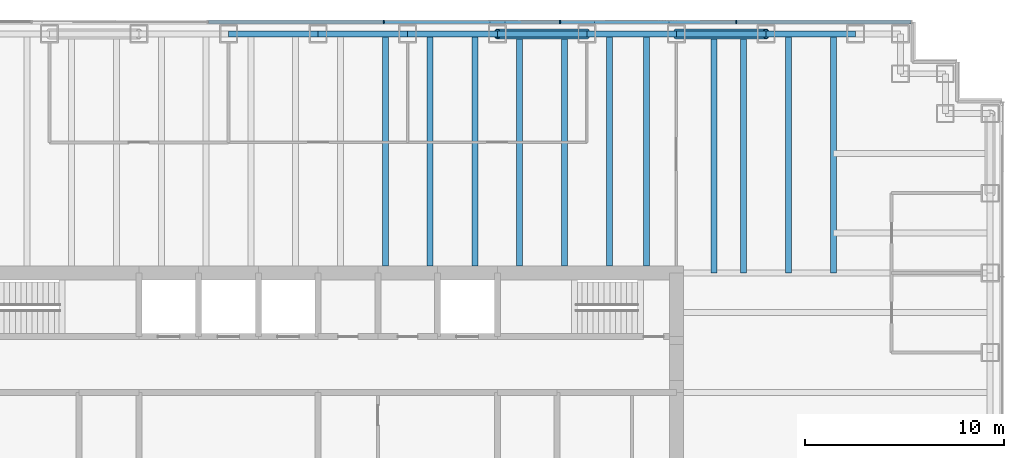
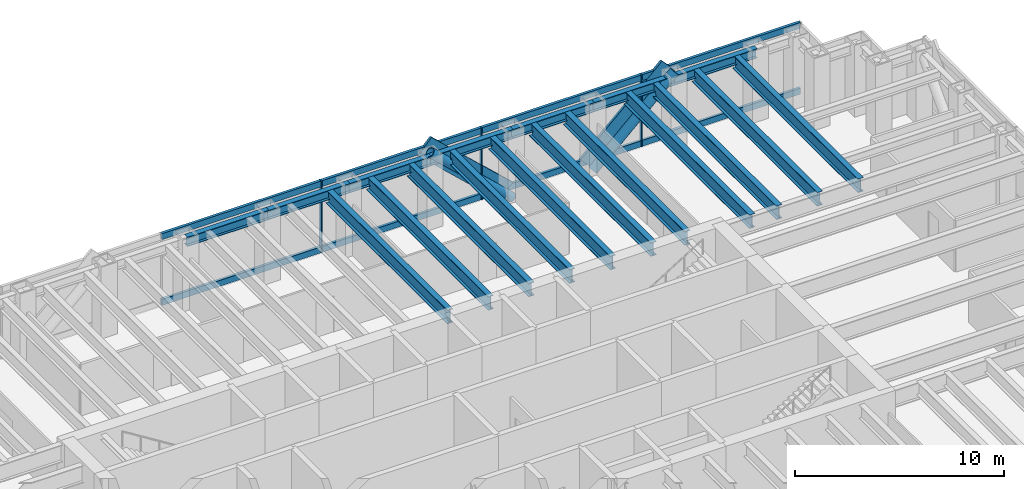
# One storey, part 7 of 15: 18 beams, 15 members, 1 element without a shape of its own.
"""IFC4 building model written with IfcOpenShell, lengths in metres."""

from ifc_helpers import new_model, si_unit, direction, frame, origin, origin_2d, place, context, subcontext, project, spatial, rectangle, hollow_circle, i_section, extrude, material, material_profile, profile_set, type_object, element, aggregate, save


model = new_model("IFC4")

# Units and contexts
model_context = context("Model", 3, precision=1e-05, world=origin(), true_north=direction((0.0, 1.0)))
body_context = subcontext(model_context, "Body", "Model", "MODEL_VIEW")
ifc_project = project(units=[si_unit("LENGTHUNIT", "METRE"), si_unit("AREAUNIT", "SQUARE_METRE"), si_unit("VOLUMEUNIT", "CUBIC_METRE"), si_unit("PLANEANGLEUNIT", "RADIAN"), si_unit("MASSUNIT", "GRAM", prefix="KILO")], contexts=[model_context])

# Site, building, storey
site_placement = place(None, origin())
site = spatial("IfcSite", under=ifc_project, at=site_placement, CompositionType="ELEMENT")
building_placement = place(site_placement, origin())
building = spatial("IfcBuilding", under=site, at=building_placement, Name="Rheinbord Bourse Tower", CompositionType="ELEMENT")
storey_placement = place(building_placement, frame((0.0, 0.0, 292.10009765625)))
storey = spatial("IfcBuildingStorey", under=building, at=storey_placement, Name="L66", CompositionType="ELEMENT", Elevation=292.10009765625)

# Curtain wall, members
ifc_material_1 = material(Name="Dark glass and black aluminium", Category="aluminium")
curtain_wall_type = type_object("IfcCurtainWallType", Name="CW3 DARK GLASS CURTAIN WALL", PredefinedType="USERDEFINED", material=ifc_material_1)
curtain_wall_placement = place(storey_placement, origin())
curtain_wall = element("IfcCurtainWall", 1, at=curtain_wall_placement, inside=storey, type_object=curtain_wall_type, Name="Curtain wall CW3 N L66", ObjectType="UNITISED CURTAIN WALL", PredefinedType="USERDEFINED")
ifc_material_2 = material(Name="Black anodised aluminium", Category="aluminium")
ifc_material_profile_1 = material_profile(ifc_material_2, rectangle(XDim=0.14990234375, YDim=1.10791015625, at=origin_2d()), Name="CW3 DIAGONAL MULLION 1108x150")
ifc_profile_set_1 = profile_set([ifc_material_profile_1], Name="Black anodised aluminium")
member_type_1 = type_object("IfcMemberType", Name="CW3 BLACK DIAGONAL MULLION", PredefinedType="USERDEFINED", material=ifc_profile_set_1)
member_1_placement = place(storey_placement, frame((54.0, 44.60009765625, 0.0), z_axis=(0.73105922506, 0.0, 0.682314010889), x_axis=(0.0, 1.0, 0.0)))
member_1 = element("IfcMember", 2, at=member_1_placement, type_object=member_type_1, Name="CW3 diagonal mullion a", ObjectType="DIAGONAL MULLION", PredefinedType="USERDEFINED", context=body_context, shape_type="SweptSolid", body=[
    extrude(rectangle(XDim=0.14990234375, YDim=1.10791015625, at=origin_2d()), origin(), (0.0, 0.0, 1.0), 6.155517578125),
])
member_2_placement = place(storey_placement, frame((49.5, 44.60009765625, 0.0), z_axis=(-0.73105922506, 0.0, 0.682314010889), x_axis=(0.0, -1.0, 0.0)))
member_2 = element("IfcMember", 3, at=member_2_placement, type_object=member_type_1, Name="CW3 diagonal mullion c", ObjectType="DIAGONAL MULLION", PredefinedType="USERDEFINED", context=body_context, shape_type="SweptSolid", body=[
    extrude(rectangle(XDim=0.14990234375, YDim=1.10791015625, at=origin_2d()), origin(), (0.0, 0.0, 1.0), 6.155517578125),
])
ifc_material_3 = material(Name="Black anodised aluminium", Category="aluminium")
ifc_material_profile_2 = material_profile(ifc_material_3, rectangle(XDim=0.199951171875, YDim=0.06494140625, at=origin_2d()), Name="CW3 MULLION 65x200")
ifc_profile_set_2 = profile_set([ifc_material_profile_2], Name="Black anodised aluminium")
member_type_2 = type_object("IfcMemberType", Name="CW3 BLACK MULLION", PredefinedType="MULLION", material=ifc_profile_set_2)
member_3_placement = place(storey_placement, frame((57.0, 44.60009765625, 0.0), z_axis=(0.0, 0.0, 1.0), x_axis=(0.0, -1.0, 0.0)))
member_3 = element("IfcMember", 4, at=member_3_placement, type_object=member_type_2, Name="CW3 mullion 2", PredefinedType="MULLION", context=body_context, shape_type="SweptSolid", body=[
    extrude(rectangle(XDim=0.199951171875, YDim=0.06494140625, at=origin_2d()), origin(), (0.0, 0.0, 1.0), 4.199951171875),
])
member_4_placement = place(storey_placement, frame((48.14990234375, 44.60009765625, 0.0), z_axis=(0.0, 0.0, 1.0), x_axis=(0.0, -1.0, 0.0)))
member_4 = element("IfcMember", 5, at=member_4_placement, type_object=member_type_2, Name="CW3 mullion 3", PredefinedType="MULLION", context=body_context, shape_type="SweptSolid", body=[
    extrude(rectangle(XDim=0.199951171875, YDim=0.06494140625, at=origin_2d()), origin(), (0.0, 0.0, 1.0), 4.199951171875),
])
member_5_placement = place(storey_placement, frame((39.300048828125, 44.60009765625, 0.0), z_axis=(0.0, 0.0, 1.0), x_axis=(0.0, -1.0, 0.0)))
member_5 = element("IfcMember", 6, at=member_5_placement, type_object=member_type_2, Name="CW3 mullion 4", PredefinedType="MULLION", context=body_context, shape_type="SweptSolid", body=[
    extrude(rectangle(XDim=0.199951171875, YDim=0.06494140625, at=origin_2d()), origin(), (0.0, 0.0, 1.0), 4.199951171875),
])
ifc_material_4 = material(Name="Black anodised aluminium", Category="aluminium")
ifc_material_profile_3 = material_profile(ifc_material_4, rectangle(XDim=0.14990234375, YDim=0.35009765625, at=origin_2d()), Name="CW3 TRANSOM 350x150")
ifc_profile_set_3 = profile_set([ifc_material_profile_3], Name="Black anodised aluminium")
member_type_3 = type_object("IfcMemberType", Name="CW3 BLACK TRANSOM", PredefinedType="USERDEFINED", material=ifc_profile_set_3)
member_6_placement = place(storey_placement, frame((65.784912109375, 44.60009765625, 0.1748046875), z_axis=(-1.0, 0.0, 0.0), x_axis=(0.0, -1.0, 0.0)))
member_6 = element("IfcMember", 7, at=member_6_placement, type_object=member_type_3, Name="CW3 transom 1.1", ObjectType="TRANSOM", PredefinedType="USERDEFINED", context=body_context, shape_type="SweptSolid", body=[
    extrude(rectangle(XDim=0.14990234375, YDim=0.35009765625, at=origin_2d()), origin(), (0.0, 0.0, 1.0), 8.75244140625),
])
member_7_placement = place(storey_placement, frame((65.784912109375, 44.60009765625, 4.02490234375), z_axis=(-1.0, 0.0, 0.0), x_axis=(0.0, -1.0, 0.0)))
member_7 = element("IfcMember", 8, at=member_7_placement, type_object=member_type_3, Name="CW3 transom 1.2", ObjectType="TRANSOM", PredefinedType="USERDEFINED", context=body_context, shape_type="SweptSolid", body=[
    extrude(rectangle(XDim=0.14990234375, YDim=0.35009765625, at=origin_2d()), origin(), (0.0, 0.0, 1.0), 8.75244140625),
])
member_8_placement = place(storey_placement, frame((56.967529296875, 44.60009765625, 0.1748046875), z_axis=(-1.0, 0.0, 0.0), x_axis=(0.0, -1.0, 0.0)))
member_8 = element("IfcMember", 9, at=member_8_placement, type_object=member_type_3, Name="CW3 transom 2.1", ObjectType="TRANSOM", PredefinedType="USERDEFINED", context=body_context, shape_type="SweptSolid", body=[
    extrude(rectangle(XDim=0.14990234375, YDim=0.35009765625, at=origin_2d()), origin(), (0.0, 0.0, 1.0), 8.784912109375),
])
member_9_placement = place(storey_placement, frame((56.967529296875, 44.60009765625, 4.02490234375), z_axis=(-1.0, 0.0, 0.0), x_axis=(0.0, -1.0, 0.0)))
member_9 = element("IfcMember", 10, at=member_9_placement, type_object=member_type_3, Name="CW3 transom 2.2", ObjectType="TRANSOM", PredefinedType="USERDEFINED", context=body_context, shape_type="SweptSolid", body=[
    extrude(rectangle(XDim=0.14990234375, YDim=0.35009765625, at=origin_2d()), origin(), (0.0, 0.0, 1.0), 8.784912109375),
])
member_10_placement = place(storey_placement, frame((48.117431640625, 44.60009765625, 0.1748046875), z_axis=(-1.0, 0.0, 0.0), x_axis=(0.0, -1.0, 0.0)))
member_10 = element("IfcMember", 11, at=member_10_placement, type_object=member_type_3, Name="CW3 transom 3.1", ObjectType="TRANSOM", PredefinedType="USERDEFINED", context=body_context, shape_type="SweptSolid", body=[
    extrude(rectangle(XDim=0.14990234375, YDim=0.35009765625, at=origin_2d()), origin(), (0.0, 0.0, 1.0), 8.784912109375),
])
member_11_placement = place(storey_placement, frame((48.117431640625, 44.60009765625, 4.02490234375), z_axis=(-1.0, 0.0, 0.0), x_axis=(0.0, -1.0, 0.0)))
member_11 = element("IfcMember", 12, at=member_11_placement, type_object=member_type_3, Name="CW3 transom 3.2", ObjectType="TRANSOM", PredefinedType="USERDEFINED", context=body_context, shape_type="SweptSolid", body=[
    extrude(rectangle(XDim=0.14990234375, YDim=0.35009765625, at=origin_2d()), origin(), (0.0, 0.0, 1.0), 8.784912109375),
])
member_12_placement = place(storey_placement, frame((39.267578125, 44.60009765625, 0.1748046875), z_axis=(-1.0, 0.0, 0.0), x_axis=(0.0, -1.0, 0.0)))
member_12 = element("IfcMember", 13, at=member_12_placement, type_object=member_type_3, Name="CW3 transom 4.1", ObjectType="TRANSOM", PredefinedType="USERDEFINED", context=body_context, shape_type="SweptSolid", body=[
    extrude(rectangle(XDim=0.14990234375, YDim=0.35009765625, at=origin_2d()), origin(), (0.0, 0.0, 1.0), 8.78515625),
])
member_13_placement = place(storey_placement, frame((39.267578125, 44.60009765625, 4.02490234375), z_axis=(-1.0, 0.0, 0.0), x_axis=(0.0, -1.0, 0.0)))
member_13 = element("IfcMember", 14, at=member_13_placement, type_object=member_type_3, Name="CW3 transom 4.2", ObjectType="TRANSOM", PredefinedType="USERDEFINED", context=body_context, shape_type="SweptSolid", body=[
    extrude(rectangle(XDim=0.14990234375, YDim=0.35009765625, at=origin_2d()), origin(), (0.0, 0.0, 1.0), 8.78515625),
])
aggregate(curtain_wall, [member_3, member_4, member_5, member_6, member_7, member_8, member_9, member_10, member_11, member_12, member_13, member_1, member_2])

# Beams
ifc_material_5 = material(Name="Steel S460", Category="steel")
ifc_material_profile_4 = material_profile(ifc_material_5, i_section(OverallWidth=0.300048828125, OverallDepth=0.800048828125, WebThickness=0.017578125, FlangeThickness=0.032958984375, at=origin_2d()), Name="HEB 800")
ifc_profile_set_4 = profile_set([ifc_material_profile_4], Name="Steel S460")
beam_type_1 = type_object("IfcBeamType", Name="FLOOR BEAM HEB 800", PredefinedType="BEAM", material=ifc_profile_set_4)
for number, where, z_axis, x_axis, name in (
    (15, (39.375, 44.0, 3.639892578125), (0.0, -1.0, 0.0), (1.0, 0.0, 0.0), "Floor beam N-36b L67"),
    (16, (41.625, 44.0, 3.639892578125), (0.0, -1.0, 0.0), (1.0, 0.0, 0.0), "Floor beam N-40.5a L67"),
    (17, (43.875, 44.0, 3.639892578125), (0.0, -1.0, 0.0), (1.0, 0.0, 0.0), "Floor beam N-40.5b L67"),
    (18, (46.125, 44.0, 3.639892578125), (0.0, -1.0, 0.0), (1.0, 0.0, 0.0), "Floor beam N-45a L67"),
    (19, (48.375, 44.0, 3.639892578125), (0.0, -1.0, 0.0), (1.0, 0.0, 0.0), "Floor beam N-45b L67"),
    (20, (50.625, 44.0, 3.639892578125), (0.0, -1.0, 0.0), (1.0, 0.0, 0.0), "Floor beam N-49.5a L67"),
    (21, (52.5, 44.0, 3.639892578125), (0.0, -1.0, 0.0), (1.0, 0.0, 0.0), "Floor beam N-49.5b L67"),
):
    element("IfcBeam", number, at=place(storey_placement, frame(where, z_axis=z_axis, x_axis=x_axis)), inside=storey, type_object=beam_type_1, Name=name, PredefinedType="BEAM", context=body_context, shape_type="SweptSolid", body=[
        extrude(i_section(OverallWidth=0.300048828125, OverallDepth=0.800048828125, WebThickness=0.017578125, FlangeThickness=0.032958984375, at=origin_2d()), origin(), (0.0, 0.0, 1.0), 11.64990234375),
    ])
for number, where, z_axis, x_axis, name in (
    (22, (55.875, 44.0, 3.639892578125), (0.0, -1.0, 0.0), (1.0, 0.0, 0.0), "Floor beam N-54a L67"),
    (23, (57.375, 44.0, 3.639892578125), (0.0, -1.0, 0.0), (1.0, 0.0, 0.0), "Floor beam N-54b L67"),
    (24, (59.625, 44.0, 3.639892578125), (0.0, -1.0, 0.0), (1.0, 0.0, 0.0), "Floor beam N-58.5a L67"),
    (25, (61.875, 44.0, 3.639892578125), (0.0, -1.0, 0.0), (1.0, 0.0, 0.0), "Floor beam N-58.5b L67"),
):
    element("IfcBeam", number, at=place(storey_placement, frame(where, z_axis=z_axis, x_axis=x_axis)), inside=storey, type_object=beam_type_1, Name=name, PredefinedType="BEAM", context=body_context, shape_type="SweptSolid", body=[
        extrude(i_section(OverallWidth=0.300048828125, OverallDepth=0.800048828125, WebThickness=0.017578125, FlangeThickness=0.032958984375, at=origin_2d()), origin(), (0.0, 0.0, 1.0), 12.0),
    ])

# Members
ifc_material_6 = material(Name="Steel S460", Category="steel")
ifc_material_profile_5 = material_profile(ifc_material_6, hollow_circle(Radius=0.25390625, WallThickness=0.030029296875, at=origin_2d()), Name="CHS 508x30")
ifc_profile_set_5 = profile_set([ifc_material_profile_5], Name="Steel S460")
member_type_4 = type_object("IfcMemberType", Name="MEGABRACE CHS 508x30", PredefinedType="BRACE", material=ifc_profile_set_5)
for number, where, z_axis, x_axis, name in (
    (26, (54.0, 44.0, 0.0), (0.73105922506, 0.0, 0.682314010889), (0.0, 1.0, 0.0), "Megabrace N face line a L66"),
    (27, (49.5, 44.0, 0.0), (-0.73105922506, 0.0, 0.682314010889), (0.0, -1.0, 0.0), "Megabrace N face line c L66"),
):
    element("IfcMember", number, at=place(storey_placement, frame(where, z_axis=z_axis, x_axis=x_axis)), inside=storey, type_object=member_type_4, Name=name, PredefinedType="BRACE", context=body_context, shape_type="SweptSolid", body=[
        extrude(hollow_circle(Radius=0.25390625, WallThickness=0.030029296875, at=origin_2d()), origin(), (0.0, 0.0, 1.0), 6.155517578125),
    ])

# Beams
ifc_material_7 = material(Name="Steel S460", Category="steel")
ifc_material_profile_6 = material_profile(ifc_material_7, i_section(OverallWidth=0.300048828125, OverallDepth=0.550048828125, WebThickness=0.014892578125, FlangeThickness=0.029052734375, at=origin_2d()), Name="HEB 550")
ifc_profile_set_6 = profile_set([ifc_material_profile_6], Name="Steel S460")
beam_type_2 = type_object("IfcBeamType", Name="SPANDREL HEB 550", PredefinedType="SPANDREL", material=ifc_profile_set_6)
for number, where, z_axis, x_axis, name in (
    (28, (63.0, 44.0, 3.764892578125), (-1.0, 0.0, 0.0), (0.0, -1.0, 0.0), "Spandrel N-63-N-58.5 under L67"),
    (29, (58.5, 44.0, 3.764892578125), (-1.0, 0.0, 0.0), (0.0, -1.0, 0.0), "Spandrel N-58.5-N-54 under L67"),
    (30, (54.0, 44.0, 3.764892578125), (-1.0, 0.0, 0.0), (0.0, -1.0, 0.0), "Spandrel N-54-N-49.5 under L67"),
    (31, (49.5, 44.0, 3.764892578125), (-1.0, 0.0, 0.0), (0.0, -1.0, 0.0), "Spandrel N-49.5-N-45 under L67"),
    (32, (45.0, 44.0, 3.764892578125), (-1.0, 0.0, 0.0), (0.0, -1.0, 0.0), "Spandrel N-45-N-40.5 under L67"),
    (33, (40.5, 44.0, 3.764892578125), (-1.0, 0.0, 0.0), (0.0, -1.0, 0.0), "Spandrel N-40.5-N-36 under L67"),
    (34, (36.0, 44.0, 3.764892578125), (-1.0, 0.0, 0.0), (0.0, -1.0, 0.0), "Spandrel N-36-N-31.5 under L67"),
):
    element("IfcBeam", number, at=place(storey_placement, frame(where, z_axis=z_axis, x_axis=x_axis)), inside=storey, type_object=beam_type_2, Name=name, PredefinedType="SPANDREL", context=body_context, shape_type="SweptSolid", body=[
        extrude(i_section(OverallWidth=0.300048828125, OverallDepth=0.550048828125, WebThickness=0.014892578125, FlangeThickness=0.029052734375, at=origin_2d()), origin(), (0.0, 0.0, 1.0), 4.5),
    ])

save(model, "model.ifc")
